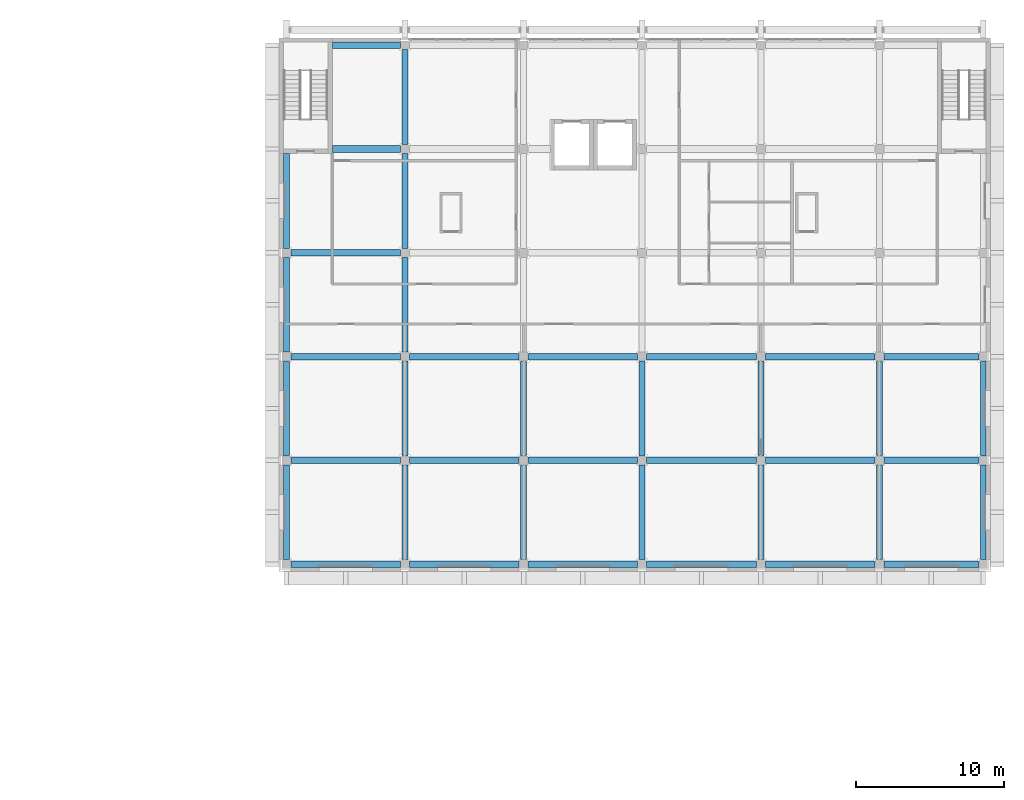
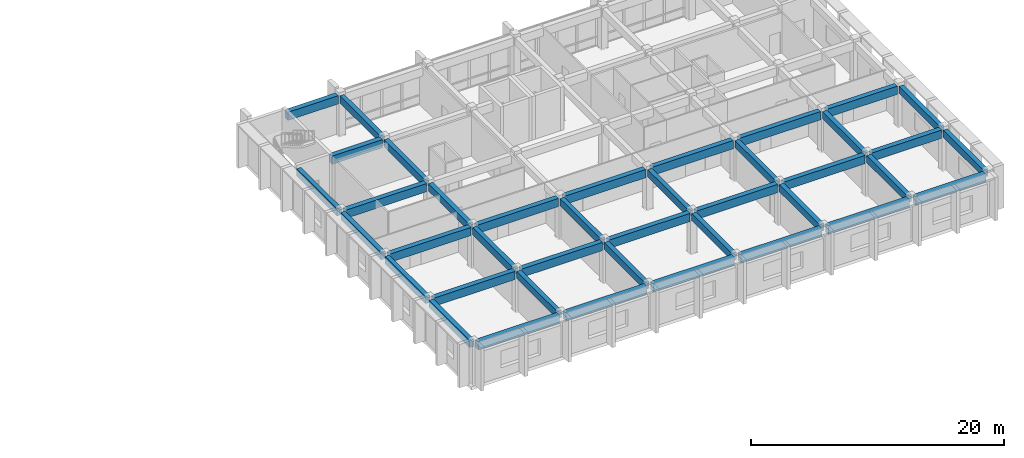
# One storey, part 19 of 43: 40 beams.
"""IFC4 building model written with IfcOpenShell, lengths in metres."""

import ifcopenshell
import ifcopenshell.guid

model = None  # the IFC model being written
_history = None  # IfcOwnerHistory: only IFC2X3 demands one
_inside = {}  # id of a spatial element -> (the spatial element, [elements in it])
_under = {}  # id of a project, library or spatial element -> (it, [spatial elements below it])
_declared = {}  # id of a project -> (the project, [libraries it declares])
_typed = {}  # id of a type object -> (the type object, [elements of that type])
_made_of = {}  # id of a material, layer set ... -> (it, [elements and type objects made of it])


def new_model(schema):
    """Start an empty IFC model of exactly this schema.

    Asked for "IFC4X3", IfcOpenShell would pick the latest addendum, in which some entities
    have other attributes; the version numbers below select the first issue.
    IFC2X3 requires an IfcOwnerHistory on every rooted entity: one is made here for all.
    """
    global model, _history
    if schema == "IFC4X3":
        model = ifcopenshell.file(schema_version=(4, 3, 0, 0))
    else:
        model = ifcopenshell.file(schema=schema)
    _inside.clear()
    _under.clear()
    _declared.clear()
    _typed.clear()
    _made_of.clear()
    _history = None
    if model.schema == "IFC2X3":
        org = make("IfcOrganization", Name="unknown")
        user = make(
            "IfcPersonAndOrganization",
            ThePerson=make("IfcPerson", FamilyName="unknown"),
            TheOrganization=org,
        )
        app = make(
            "IfcApplication",
            ApplicationDeveloper=org,
            Version="unknown",
            ApplicationFullName="unknown",
            ApplicationIdentifier="unknown",
        )
        _history = make(
            "IfcOwnerHistory",
            OwningUser=user,
            OwningApplication=app,
            ChangeAction="ADDED",
            CreationDate=0,
        )
    return model


def make(cls, **values):
    """One entity of the class cls with the attributes given. An attribute that is None is left unset."""
    return model.create_entity(
        cls, **{name: value for name, value in values.items() if value is not None}
    )


def rooted(cls, **values):
    """An entity with a GlobalId (a new one), such as an element, a storey or a relation."""
    return make(cls, GlobalId=ifcopenshell.guid.new(), OwnerHistory=_history, **values)


def si_unit(unit_type, name, prefix=None):
    """IfcSIUnit, for example si_unit("LENGTHUNIT", "METRE", prefix="MILLI")."""
    return make("IfcSIUnit", UnitType=unit_type, Prefix=prefix, Name=name)


def assignment(units):
    """IfcUnitAssignment: the units of a project."""
    return None if units is None else make("IfcUnitAssignment", Units=units)


def point(xyz):
    """IfcCartesianPoint."""
    return None if xyz is None else make("IfcCartesianPoint", Coordinates=xyz)


def direction(xyz):
    """IfcDirection."""
    return None if xyz is None else make("IfcDirection", DirectionRatios=xyz)


def frame(location, z_axis=None, x_axis=None):
    """IfcAxis2Placement3D, a coordinate frame: its origin and axes. An axis left out is left unset."""
    return make(
        "IfcAxis2Placement3D",
        Location=point(location),
        Axis=direction(z_axis),
        RefDirection=direction(x_axis),
    )


def frame_2d(location, x_axis=None):
    """IfcAxis2Placement2D, a coordinate frame in the plane: its origin and x axis."""
    return make(
        "IfcAxis2Placement2D", Location=point(location), RefDirection=direction(x_axis)
    )


def origin():
    """The frame at (0, 0, 0) with its axes left unset."""
    return frame((0.0, 0.0, 0.0))


def origin_2d():
    """The frame at (0, 0) in the plane with its x axis left unset."""
    return frame_2d((0.0, 0.0))


def place(relative_to, where):
    """IfcLocalPlacement: puts the frame where relative to a parent placement (None: the world)."""
    return make(
        "IfcLocalPlacement", PlacementRelTo=relative_to, RelativePlacement=where
    )


def context(
    kind, dimensions, precision=None, world=None, true_north=None, identifier=None
):
    """IfcGeometricRepresentationContext, for example the 3D "Model" context."""
    return make(
        "IfcGeometricRepresentationContext",
        ContextIdentifier=identifier,
        ContextType=kind,
        CoordinateSpaceDimension=dimensions,
        Precision=precision,
        WorldCoordinateSystem=world,
        TrueNorth=true_north,
    )


def subcontext(parent, identifier, kind, view, scale=None):
    """IfcGeometricRepresentationSubContext, for example "Body" below "Model"."""
    return make(
        "IfcGeometricRepresentationSubContext",
        ContextIdentifier=identifier,
        ContextType=kind,
        ParentContext=parent,
        TargetScale=scale,
        TargetView=view,
    )


def project(units=None, contexts=None):
    """IfcProject with its units and contexts."""
    return rooted(
        "IfcProject",
        Name="project",
        RepresentationContexts=contexts,
        UnitsInContext=assignment(units),
    )


def spatial(cls, under=None, at=None, **own):
    """A site, building, storey or space (cls), placed at a placement, below another one or the project."""
    s = rooted(cls, ObjectPlacement=at, **own)
    if under is not None:
        _under.setdefault(under.id(), (under, []))[1].append(s)
    return s


def profile(cls, at=None, kind="AREA", **sizes):
    """A parametric profile (cls). Its sizes go by their IFC names, for example OverallWidth=200.0."""
    return make(cls, ProfileType=kind, Position=at, **sizes)


def rectangle(**sizes):
    """IfcRectangleProfileDef."""
    return profile("IfcRectangleProfileDef", **sizes)


def extrude(swept, where, along, depth):
    """IfcExtrudedAreaSolid: the profile swept, set in the frame where, extruded along a direction by depth."""
    return make(
        "IfcExtrudedAreaSolid",
        SweptArea=swept,
        Position=where,
        ExtrudedDirection=direction(along),
        Depth=depth,
    )


def shape(context_of_items, identifier, shape_type, items):
    """IfcShapeRepresentation: the items that make up one representation, for example the "Body"."""
    return make(
        "IfcShapeRepresentation",
        ContextOfItems=context_of_items,
        RepresentationIdentifier=identifier,
        RepresentationType=shape_type,
        Items=items,
    )


def material(Name=None, Category=None):
    """IfcMaterial."""
    return make("IfcMaterial", Name=Name, Category=Category)


def material_profile(
    of_material, cross_section, Name=None, Category=None, Priority=None
):
    """IfcMaterialProfile: a cross section and its material."""
    return make(
        "IfcMaterialProfile",
        Name=Name,
        Material=of_material,
        Profile=cross_section,
        Priority=Priority,
        Category=Category,
    )


def profile_set(profiles, Name=None, composite=None):
    """IfcMaterialProfileSet."""
    return make(
        "IfcMaterialProfileSet",
        Name=Name,
        MaterialProfiles=profiles,
        CompositeProfile=composite,
    )


def made_of(thing, what):
    """Note that an element or type object is made of a material, layer set ...; save() writes the relation."""
    if what is not None:
        _made_of.setdefault(what.id(), (what, []))[1].append(thing)
    return thing


def type_object(cls, material=None, **own):
    """A type object (cls), such as IfcWallType, which elements share."""
    return made_of(rooted(cls, **own), material)


def element(
    cls,
    number,
    at=None,
    inside=None,
    cuts=None,
    type_object=None,
    material=None,
    context=None,
    identifier="Body",
    shape_type=None,
    held_by="IfcProductDefinitionShape",
    body=None,
    shapes=None,
    **own,
):
    """One element of the class cls, such as IfcWall. Its Tag is "e" and its number.

    at: its placement. inside: the storey or other place that contains it. cuts: it is an
    opening in that element (IfcRelVoidsElement). A single representation is given by context,
    identifier, shape_type and body (its items); several are given by shapes. held_by: the class
    of the entity that holds the representations. save() writes the other relations.
    """
    e = rooted(cls, Tag="e%d" % number, ObjectPlacement=at, **own)
    if body is not None:
        shapes = [shape(context, identifier, shape_type, body)]
    if shapes is not None:
        e.Representation = make(held_by, Representations=shapes)
    if inside is not None:
        _inside.setdefault(inside.id(), (inside, []))[1].append(e)
    if cuts is not None:
        rooted(
            "IfcRelVoidsElement", RelatingBuildingElement=cuts, RelatedOpeningElement=e
        )
    if type_object is not None:
        _typed.setdefault(type_object.id(), (type_object, []))[1].append(e)
    return made_of(e, material)


def aggregate(whole, parts):
    """IfcRelAggregates: a whole, such as a stair, and the parts it consists of."""
    return rooted("IfcRelAggregates", RelatingObject=whole, RelatedObjects=parts)


def save(model, path):
    """Write the relations noted so far, then the file.

    IfcRelAggregates (storeys below a building ...), IfcRelContainedInSpatialStructure (elements
    in a storey), IfcRelDefinesByType, IfcRelAssociatesMaterial and IfcRelDeclares: one each for
    every whole, place, type object, material and project.
    """
    for whole, parts in _under.values():
        aggregate(whole, parts)
    for where, things in _inside.values():
        rooted(
            "IfcRelContainedInSpatialStructure",
            RelatedElements=things,
            RelatingStructure=where,
        )
    for kind, things in _typed.values():
        rooted("IfcRelDefinesByType", RelatedObjects=things, RelatingType=kind)
    for what, things in _made_of.values():
        rooted("IfcRelAssociatesMaterial", RelatedObjects=things, RelatingMaterial=what)
    for by, libraries in _declared.values():
        rooted("IfcRelDeclares", RelatingContext=by, RelatedDefinitions=libraries)
    model.write(path)


model = new_model("IFC4")

# Units and contexts
model_context = context("Model", 3, precision=1e-05, world=origin(), true_north=direction((0.0, 1.0)))
body_context = subcontext(model_context, "Body", "Model", "MODEL_VIEW")
ifc_project = project(units=[si_unit("LENGTHUNIT", "METRE"), si_unit("AREAUNIT", "SQUARE_METRE"), si_unit("VOLUMEUNIT", "CUBIC_METRE"), si_unit("PLANEANGLEUNIT", "RADIAN"), si_unit("MASSUNIT", "GRAM", prefix="KILO")], contexts=[model_context])

# Site, building, storey
site_placement = place(None, origin())
site = spatial("IfcSite", under=ifc_project, at=site_placement, CompositionType="ELEMENT")
building_placement = place(site_placement, origin())
building = spatial("IfcBuilding", under=site, at=building_placement, Name="Elmora Arch Market Hall", CompositionType="ELEMENT")
storey_placement = place(building_placement, frame((0.0, 0.0, 10.199951171875)))
storey = spatial("IfcBuildingStorey", under=building, at=storey_placement, Name="L02", CompositionType="ELEMENT", Elevation=10.199951171875)

# Beams
ifc_material_1 = material(Name="Concrete C32/40", Category="concrete")
ifc_material_profile_1 = material_profile(ifc_material_1, rectangle(XDim=0.39990234375, YDim=0.699951171875, at=origin_2d()), Name="School beam 400x700")
ifc_profile_set_1 = profile_set([ifc_material_profile_1], Name="Concrete C32/40")
beam_type_1 = type_object("IfcBeamType", Name="School beam 400x700", PredefinedType="BEAM", material=ifc_profile_set_1)
for number, where, z_axis, x_axis, name in (
    (1, (86.5, 130.800048828125, 3.550048828125), (0.0, 1.0, 0.0), (-1.0, 0.0, 0.0), "School beam SY1 L02.1"),
    (2, (86.5, 137.800048828125, 3.550048828125), (0.0, 1.0, 0.0), (-1.0, 0.0, 0.0), "School beam SY1 L02.2"),
    (3, (86.5, 144.800048828125, 3.550048828125), (0.0, 1.0, 0.0), (-1.0, 0.0, 0.0), "School beam SY1 L02.3"),
    (4, (86.5, 151.800048828125, 3.550048828125), (0.0, 1.0, 0.0), (-1.0, 0.0, 0.0), "School beam SY1 L02.4"),
    (5, (94.5, 130.800048828125, 3.550048828125), (0.0, 1.0, 0.0), (-1.0, 0.0, 0.0), "School beam SY2 L02.1"),
    (6, (94.5, 137.800048828125, 3.550048828125), (0.0, 1.0, 0.0), (-1.0, 0.0, 0.0), "School beam SY2 L02.2"),
    (7, (94.5, 144.800048828125, 3.550048828125), (0.0, 1.0, 0.0), (-1.0, 0.0, 0.0), "School beam SY2 L02.3"),
    (8, (94.5, 151.800048828125, 3.550048828125), (0.0, 1.0, 0.0), (-1.0, 0.0, 0.0), "School beam SY2 L02.4"),
    (9, (94.5, 158.800048828125, 3.550048828125), (0.0, 1.0, 0.0), (-1.0, 0.0, 0.0), "School beam SY2 L02.5"),
    (10, (102.5, 130.800048828125, 3.550048828125), (0.0, 1.0, 0.0), (-1.0, 0.0, 0.0), "School beam SY3 L02.1"),
    (11, (102.5, 137.800048828125, 3.550048828125), (0.0, 1.0, 0.0), (-1.0, 0.0, 0.0), "School beam SY3 L02.2"),
    (12, (110.5, 130.800048828125, 3.550048828125), (0.0, 1.0, 0.0), (-1.0, 0.0, 0.0), "School beam SY4 L02.1"),
    (13, (110.5, 137.800048828125, 3.550048828125), (0.0, 1.0, 0.0), (-1.0, 0.0, 0.0), "School beam SY4 L02.2"),
    (14, (118.5, 130.800048828125, 3.550048828125), (0.0, 1.0, 0.0), (-1.0, 0.0, 0.0), "School beam SY5 L02.1"),
    (15, (118.5, 137.800048828125, 3.550048828125), (0.0, 1.0, 0.0), (-1.0, 0.0, 0.0), "School beam SY5 L02.2"),
    (16, (126.5, 130.800048828125, 3.550048828125), (0.0, 1.0, 0.0), (-1.0, 0.0, 0.0), "School beam SY6 L02.1"),
    (17, (126.5, 137.800048828125, 3.550048828125), (0.0, 1.0, 0.0), (-1.0, 0.0, 0.0), "School beam SY6 L02.2"),
    (18, (133.5, 130.800048828125, 3.550048828125), (0.0, 1.0, 0.0), (-1.0, 0.0, 0.0), "School beam SY7 L02.1"),
    (19, (133.5, 137.800048828125, 3.550048828125), (0.0, 1.0, 0.0), (-1.0, 0.0, 0.0), "School beam SY7 L02.2"),
):
    element("IfcBeam", number, at=place(storey_placement, frame(where, z_axis=z_axis, x_axis=x_axis)), inside=storey, type_object=beam_type_1, Name=name, PredefinedType="BEAM", context=body_context, shape_type="SweptSolid", body=[
        extrude(rectangle(XDim=0.39990234375, YDim=0.699951171875, at=origin_2d()), origin(), (0.0, 0.0, 1.0), 6.39990234375),
    ])
ifc_material_2 = material(Name="Concrete C32/40", Category="concrete")
ifc_material_profile_2 = material_profile(ifc_material_2, rectangle(XDim=0.449951171875, YDim=0.800048828125, at=origin_2d()), Name="School girder 450x800")
ifc_profile_set_2 = profile_set([ifc_material_profile_2], Name="Concrete C32/40")
beam_type_2 = type_object("IfcBeamType", Name="School girder 450x800", PredefinedType="BEAM", material=ifc_profile_set_2)
for number, where, z_axis, x_axis, name in (
    (20, (86.800048828125, 130.5, 3.5), (1.0, 0.0, 0.0), (0.0, 1.0, 0.0), "School girder SX1 L02.1"),
    (21, (94.800048828125, 130.5, 3.5), (1.0, 0.0, 0.0), (0.0, 1.0, 0.0), "School girder SX1 L02.2"),
    (22, (102.800048828125, 130.5, 3.5), (1.0, 0.0, 0.0), (0.0, 1.0, 0.0), "School girder SX1 L02.3"),
    (23, (110.800048828125, 130.5, 3.5), (1.0, 0.0, 0.0), (0.0, 1.0, 0.0), "School girder SX1 L02.4"),
    (24, (118.800048828125, 130.5, 3.5), (1.0, 0.0, 0.0), (0.0, 1.0, 0.0), "School girder SX1 L02.5"),
):
    element("IfcBeam", number, at=place(storey_placement, frame(where, z_axis=z_axis, x_axis=x_axis)), inside=storey, type_object=beam_type_2, Name=name, PredefinedType="BEAM", context=body_context, shape_type="SweptSolid", body=[
        extrude(rectangle(XDim=0.449951171875, YDim=0.800048828125, at=origin_2d()), origin(), (0.0, 0.0, 1.0), 7.39990234375),
    ])
beam_1_placement = place(storey_placement, frame((126.800048828125, 130.5, 3.5), z_axis=(1.0, 0.0, 0.0), x_axis=(0.0, 1.0, 0.0)))
element("IfcBeam", 25, at=beam_1_placement, inside=storey, type_object=beam_type_2, Name="School girder SX1 L02.6", PredefinedType="BEAM", context=body_context, shape_type="SweptSolid", body=[
    extrude(rectangle(XDim=0.449951171875, YDim=0.800048828125, at=origin_2d()), origin(), (0.0, 0.0, 1.0), 6.39990234375),
])
for number, where, z_axis, x_axis, name in (
    (26, (86.800048828125, 137.5, 3.5), (1.0, 0.0, 0.0), (0.0, 1.0, 0.0), "School girder SX2 L02.1"),
    (27, (94.800048828125, 137.5, 3.5), (1.0, 0.0, 0.0), (0.0, 1.0, 0.0), "School girder SX2 L02.2"),
    (28, (102.800048828125, 137.5, 3.5), (1.0, 0.0, 0.0), (0.0, 1.0, 0.0), "School girder SX2 L02.3"),
    (29, (110.800048828125, 137.5, 3.5), (1.0, 0.0, 0.0), (0.0, 1.0, 0.0), "School girder SX2 L02.4"),
    (30, (118.800048828125, 137.5, 3.5), (1.0, 0.0, 0.0), (0.0, 1.0, 0.0), "School girder SX2 L02.5"),
):
    element("IfcBeam", number, at=place(storey_placement, frame(where, z_axis=z_axis, x_axis=x_axis)), inside=storey, type_object=beam_type_2, Name=name, PredefinedType="BEAM", context=body_context, shape_type="SweptSolid", body=[
        extrude(rectangle(XDim=0.449951171875, YDim=0.800048828125, at=origin_2d()), origin(), (0.0, 0.0, 1.0), 7.39990234375),
    ])
beam_2_placement = place(storey_placement, frame((126.800048828125, 137.5, 3.5), z_axis=(1.0, 0.0, 0.0), x_axis=(0.0, 1.0, 0.0)))
element("IfcBeam", 31, at=beam_2_placement, inside=storey, type_object=beam_type_2, Name="School girder SX2 L02.6", PredefinedType="BEAM", context=body_context, shape_type="SweptSolid", body=[
    extrude(rectangle(XDim=0.449951171875, YDim=0.800048828125, at=origin_2d()), origin(), (0.0, 0.0, 1.0), 6.39990234375),
])
for number, where, z_axis, x_axis, name in (
    (32, (86.800048828125, 144.5, 3.5), (1.0, 0.0, 0.0), (0.0, 1.0, 0.0), "School girder SX3 L02.1"),
    (33, (94.800048828125, 144.5, 3.5), (1.0, 0.0, 0.0), (0.0, 1.0, 0.0), "School girder SX3 L02.2"),
    (34, (102.800048828125, 144.5, 3.5), (1.0, 0.0, 0.0), (0.0, 1.0, 0.0), "School girder SX3 L02.3"),
    (35, (110.800048828125, 144.5, 3.5), (1.0, 0.0, 0.0), (0.0, 1.0, 0.0), "School girder SX3 L02.4"),
    (36, (118.800048828125, 144.5, 3.5), (1.0, 0.0, 0.0), (0.0, 1.0, 0.0), "School girder SX3 L02.5"),
):
    element("IfcBeam", number, at=place(storey_placement, frame(where, z_axis=z_axis, x_axis=x_axis)), inside=storey, type_object=beam_type_2, Name=name, PredefinedType="BEAM", context=body_context, shape_type="SweptSolid", body=[
        extrude(rectangle(XDim=0.449951171875, YDim=0.800048828125, at=origin_2d()), origin(), (0.0, 0.0, 1.0), 7.39990234375),
    ])
beam_3_placement = place(storey_placement, frame((126.800048828125, 144.5, 3.5), z_axis=(1.0, 0.0, 0.0), x_axis=(0.0, 1.0, 0.0)))
element("IfcBeam", 37, at=beam_3_placement, inside=storey, type_object=beam_type_2, Name="School girder SX3 L02.6", PredefinedType="BEAM", context=body_context, shape_type="SweptSolid", body=[
    extrude(rectangle(XDim=0.449951171875, YDim=0.800048828125, at=origin_2d()), origin(), (0.0, 0.0, 1.0), 6.39990234375),
])
beam_4_placement = place(storey_placement, frame((86.800048828125, 151.5, 3.5), z_axis=(1.0, 0.0, 0.0), x_axis=(0.0, 1.0, 0.0)))
element("IfcBeam", 38, at=beam_4_placement, inside=storey, type_object=beam_type_2, Name="School girder SX4 L02.1", PredefinedType="BEAM", context=body_context, shape_type="SweptSolid", body=[
    extrude(rectangle(XDim=0.449951171875, YDim=0.800048828125, at=origin_2d()), origin(), (0.0, 0.0, 1.0), 7.39990234375),
])
for number, where, z_axis, x_axis, name in (
    (39, (89.60009765625, 158.5, 3.5), (1.0, 0.0, 0.0), (0.0, 1.0, 0.0), "School girder SX5 L02.1"),
    (40, (89.60009765625, 165.5, 3.5), (1.0, 0.0, 0.0), (0.0, 1.0, 0.0), "School girder SX6 L02.1"),
):
    element("IfcBeam", number, at=place(storey_placement, frame(where, z_axis=z_axis, x_axis=x_axis)), inside=storey, type_object=beam_type_2, Name=name, PredefinedType="BEAM", context=body_context, shape_type="SweptSolid", body=[
        extrude(rectangle(XDim=0.449951171875, YDim=0.800048828125, at=origin_2d()), origin(), (0.0, 0.0, 1.0), 4.599853515625),
    ])

save(model, "model.ifc")
